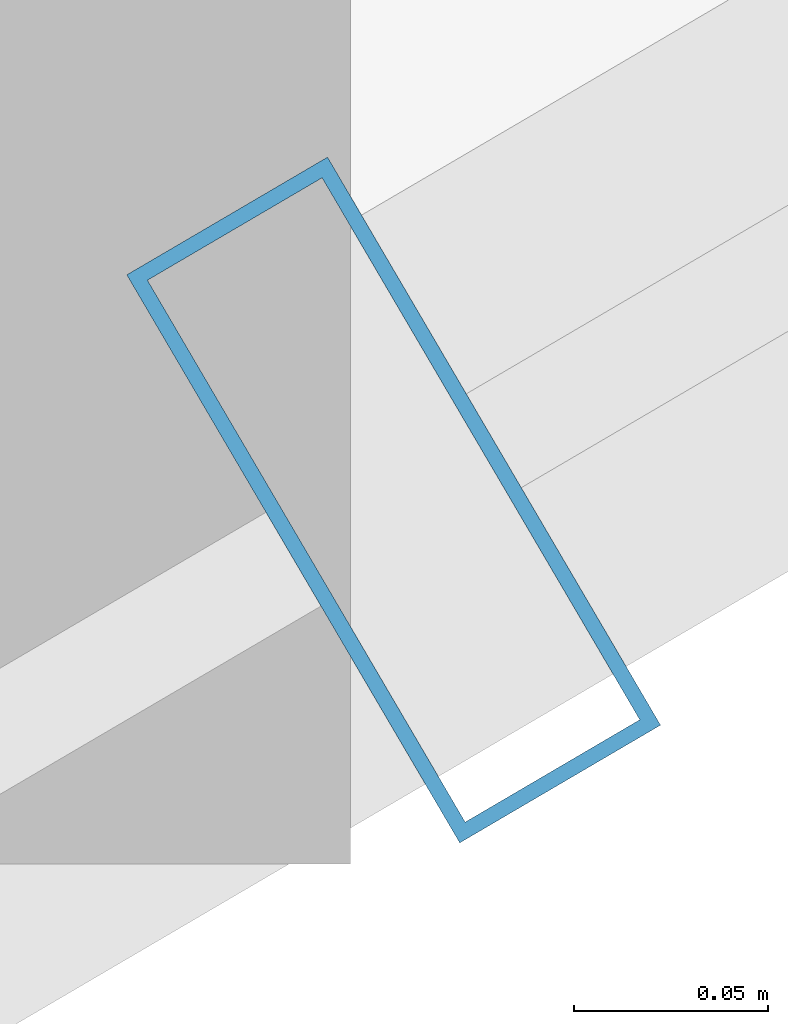
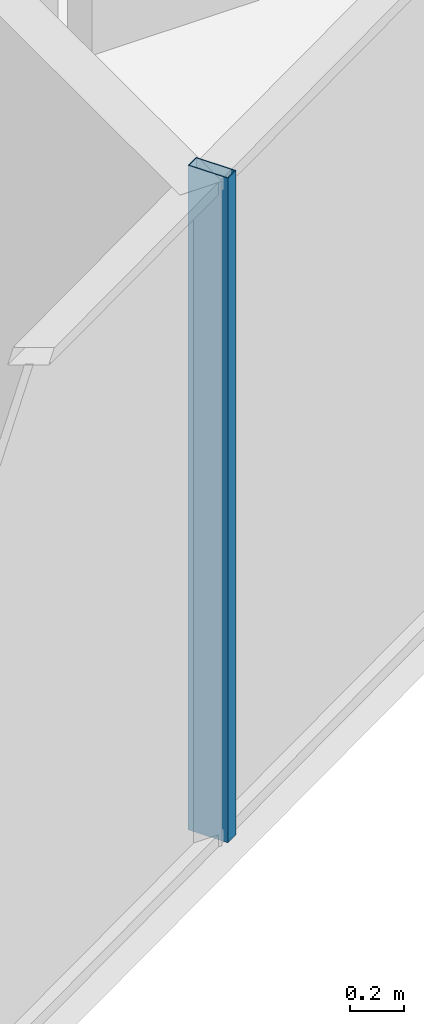
# One storey, part 7 of 30: 1 member, 1 element without a shape of its own.
"""IFC4 building model written with IfcOpenShell, lengths in metres."""

from ifc_helpers import new_model, si_unit, direction, frame, origin, origin_2d, place, context, subcontext, project, spatial, hollow_rectangle, extrude, source, transform, mapped, material, layer, layer_set, material_profile, profile_set, type_object, element, aggregate, save


model = new_model("IFC4")

# Units and contexts
model_context = context("Model", 3, precision=1e-05, world=origin(), true_north=direction((0.0, 1.0)))
body_context = subcontext(model_context, "Body", "Model", "MODEL_VIEW")
ifc_project = project(units=[si_unit("LENGTHUNIT", "METRE"), si_unit("AREAUNIT", "SQUARE_METRE"), si_unit("VOLUMEUNIT", "CUBIC_METRE"), si_unit("PLANEANGLEUNIT", "RADIAN"), si_unit("MASSUNIT", "GRAM", prefix="KILO")], contexts=[model_context])

# Site, building, storey
site_placement = place(None, origin())
site = spatial("IfcSite", under=ifc_project, at=site_placement, CompositionType="ELEMENT")
building_placement = place(site_placement, origin())
building = spatial("IfcBuilding", under=site, at=building_placement, Name="Veraguas Prism Commons", CompositionType="ELEMENT")
storey_placement = place(building_placement, frame((0.0, 0.0, 129.5)))
storey = spatial("IfcBuildingStorey", under=building, at=storey_placement, Name="L36", CompositionType="ELEMENT", Elevation=129.5)

# Curtain wall, member
ifc_material = material(Name="Anodised aluminium EN AW-6063 T6", Category="aluminium")
ifc_layer = layer(ifc_material, 0.169921875, Name="Unitised Flush Curtain Wall Zone 2", Category="aluminium")
ifc_layer_set = layer_set([ifc_layer], Name="Anodised aluminium EN AW-6063 T6")
curtain_wall_type = type_object("IfcCurtainWallType", Name="Unitised Flush Curtain Wall Zone 2", PredefinedType="NOTDEFINED", material=ifc_layer_set)
curtain_wall_placement = place(storey_placement, origin())
curtain_wall = element("IfcCurtainWall", 1, at=curtain_wall_placement, inside=storey, type_object=curtain_wall_type, Name="Tower Facade Curtain Wall L36-F5", PredefinedType="NOTDEFINED")
ifc_material_profile = material_profile(ifc_material, hollow_rectangle(XDim=0.06005859375, YDim=0.169921875, WallThickness=0.00390625, at=origin_2d()), Name="AL60X170X4")
ifc_profile_set = profile_set([ifc_material_profile], Name="Anodised aluminium EN AW-6063 T6")
member_type = type_object("IfcMemberType", Name="Curtain Wall Mullion Lower AL 60x170x4", PredefinedType="MULLION", material=ifc_profile_set)
shared_shape = source(origin(), body_context, "Body", "SweptSolid", [
    extrude(hollow_rectangle(XDim=0.06005859375, YDim=0.169921875, WallThickness=0.00390625, at=origin_2d()), origin(), (0.0, 0.0, 1.0), 3.0),
])
member_placement = place(storey_placement, frame((33.701171875, 7.451416015625, 0.0), z_axis=(0.0, 0.0, 1.0), x_axis=(0.86268584238, 0.505740187604, 0.0)))
member = element("IfcMember", 2, at=member_placement, type_object=member_type, Name="CW-Z2 Mullion 3", PredefinedType="MULLION", context=body_context, shape_type="MappedRepresentation", body=[
    mapped(shared_shape, transform((0.0, 0.0, 0.0), scale=1.0)),
])
aggregate(curtain_wall, [member])

save(model, "model.ifc")
